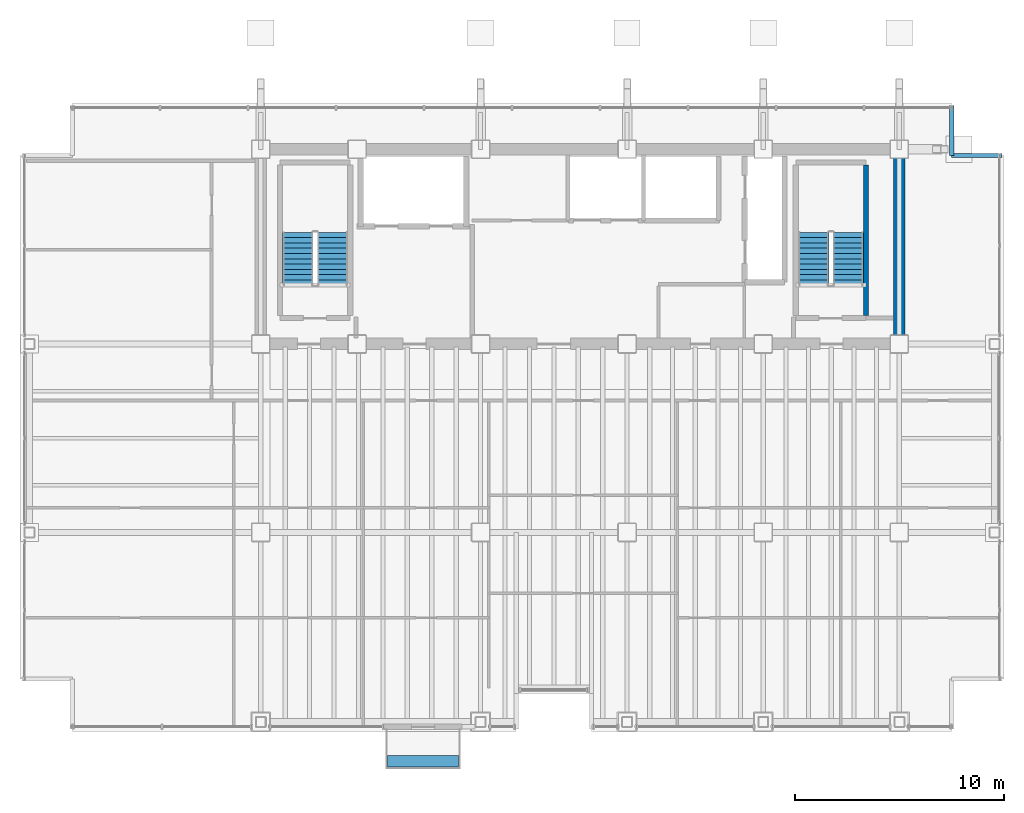
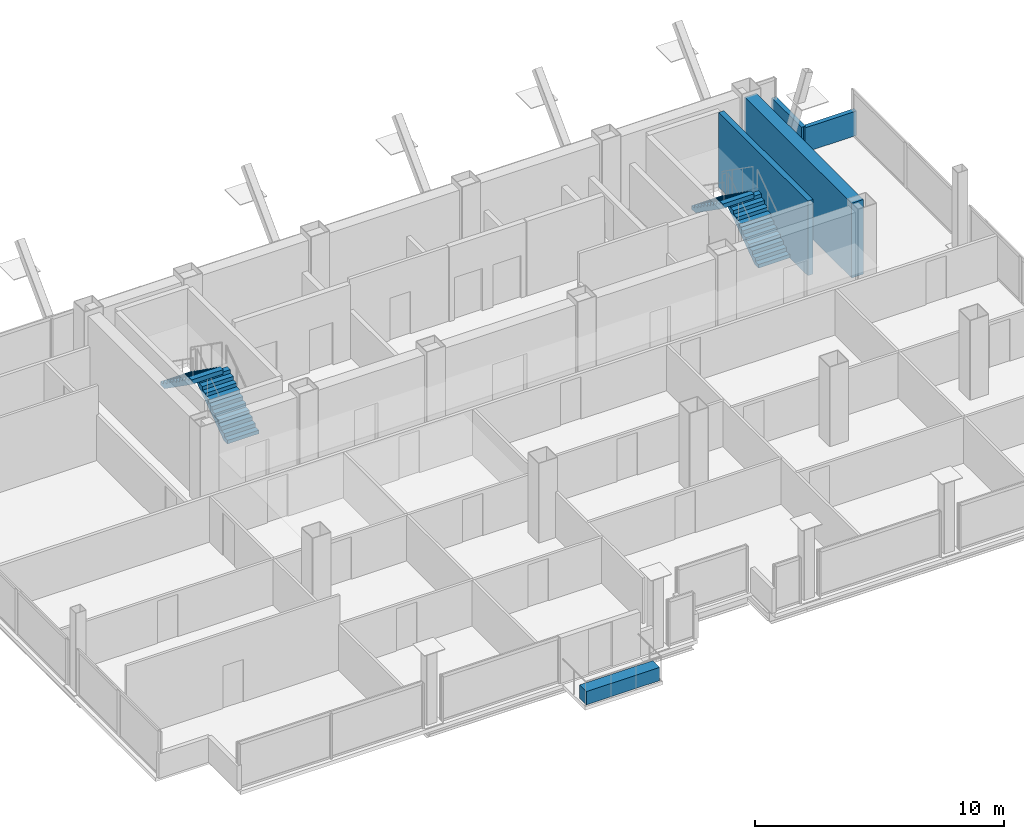
# One storey, part 21 of 22: 4 stair flights, 4 walls, 1 discrete accessory, 2 elements without a shape of their own.
"""IFC4 building model written with IfcOpenShell, lengths in metres."""

import ifcopenshell
import ifcopenshell.guid

model = None  # the IFC model being written
_history = None  # IfcOwnerHistory: only IFC2X3 demands one
_inside = {}  # id of a spatial element -> (the spatial element, [elements in it])
_under = {}  # id of a project, library or spatial element -> (it, [spatial elements below it])
_declared = {}  # id of a project -> (the project, [libraries it declares])
_typed = {}  # id of a type object -> (the type object, [elements of that type])
_made_of = {}  # id of a material, layer set ... -> (it, [elements and type objects made of it])


def new_model(schema):
    """Start an empty IFC model of exactly this schema.

    Asked for "IFC4X3", IfcOpenShell would pick the latest addendum, in which some entities
    have other attributes; the version numbers below select the first issue.
    IFC2X3 requires an IfcOwnerHistory on every rooted entity: one is made here for all.
    """
    global model, _history
    if schema == "IFC4X3":
        model = ifcopenshell.file(schema_version=(4, 3, 0, 0))
    else:
        model = ifcopenshell.file(schema=schema)
    _inside.clear()
    _under.clear()
    _declared.clear()
    _typed.clear()
    _made_of.clear()
    _history = None
    if model.schema == "IFC2X3":
        org = make("IfcOrganization", Name="unknown")
        user = make(
            "IfcPersonAndOrganization",
            ThePerson=make("IfcPerson", FamilyName="unknown"),
            TheOrganization=org,
        )
        app = make(
            "IfcApplication",
            ApplicationDeveloper=org,
            Version="unknown",
            ApplicationFullName="unknown",
            ApplicationIdentifier="unknown",
        )
        _history = make(
            "IfcOwnerHistory",
            OwningUser=user,
            OwningApplication=app,
            ChangeAction="ADDED",
            CreationDate=0,
        )
    return model


def make(cls, **values):
    """One entity of the class cls with the attributes given. An attribute that is None is left unset."""
    return model.create_entity(
        cls, **{name: value for name, value in values.items() if value is not None}
    )


def rooted(cls, **values):
    """An entity with a GlobalId (a new one), such as an element, a storey or a relation."""
    return make(cls, GlobalId=ifcopenshell.guid.new(), OwnerHistory=_history, **values)


def si_unit(unit_type, name, prefix=None):
    """IfcSIUnit, for example si_unit("LENGTHUNIT", "METRE", prefix="MILLI")."""
    return make("IfcSIUnit", UnitType=unit_type, Prefix=prefix, Name=name)


def assignment(units):
    """IfcUnitAssignment: the units of a project."""
    return None if units is None else make("IfcUnitAssignment", Units=units)


def point(xyz):
    """IfcCartesianPoint."""
    return None if xyz is None else make("IfcCartesianPoint", Coordinates=xyz)


def direction(xyz):
    """IfcDirection."""
    return None if xyz is None else make("IfcDirection", DirectionRatios=xyz)


def frame(location, z_axis=None, x_axis=None):
    """IfcAxis2Placement3D, a coordinate frame: its origin and axes. An axis left out is left unset."""
    return make(
        "IfcAxis2Placement3D",
        Location=point(location),
        Axis=direction(z_axis),
        RefDirection=direction(x_axis),
    )


def frame_2d(location, x_axis=None):
    """IfcAxis2Placement2D, a coordinate frame in the plane: its origin and x axis."""
    return make(
        "IfcAxis2Placement2D", Location=point(location), RefDirection=direction(x_axis)
    )


def origin():
    """The frame at (0, 0, 0) with its axes left unset."""
    return frame((0.0, 0.0, 0.0))


def origin_2d():
    """The frame at (0, 0) in the plane with its x axis left unset."""
    return frame_2d((0.0, 0.0))


def place(relative_to, where):
    """IfcLocalPlacement: puts the frame where relative to a parent placement (None: the world)."""
    return make(
        "IfcLocalPlacement", PlacementRelTo=relative_to, RelativePlacement=where
    )


def context(
    kind, dimensions, precision=None, world=None, true_north=None, identifier=None
):
    """IfcGeometricRepresentationContext, for example the 3D "Model" context."""
    return make(
        "IfcGeometricRepresentationContext",
        ContextIdentifier=identifier,
        ContextType=kind,
        CoordinateSpaceDimension=dimensions,
        Precision=precision,
        WorldCoordinateSystem=world,
        TrueNorth=true_north,
    )


def subcontext(parent, identifier, kind, view, scale=None):
    """IfcGeometricRepresentationSubContext, for example "Body" below "Model"."""
    return make(
        "IfcGeometricRepresentationSubContext",
        ContextIdentifier=identifier,
        ContextType=kind,
        ParentContext=parent,
        TargetScale=scale,
        TargetView=view,
    )


def project(units=None, contexts=None):
    """IfcProject with its units and contexts."""
    return rooted(
        "IfcProject",
        Name="project",
        RepresentationContexts=contexts,
        UnitsInContext=assignment(units),
    )


def spatial(cls, under=None, at=None, **own):
    """A site, building, storey or space (cls), placed at a placement, below another one or the project."""
    s = rooted(cls, ObjectPlacement=at, **own)
    if under is not None:
        _under.setdefault(under.id(), (under, []))[1].append(s)
    return s


def polyline(points):
    """IfcPolyline through the points."""
    return make("IfcPolyline", Points=[point(p) for p in points])


def profile(cls, at=None, kind="AREA", **sizes):
    """A parametric profile (cls). Its sizes go by their IFC names, for example OverallWidth=200.0."""
    return make(cls, ProfileType=kind, Position=at, **sizes)


def rectangle(**sizes):
    """IfcRectangleProfileDef."""
    return profile("IfcRectangleProfileDef", **sizes)


def outline(outer, holes=None, kind="AREA"):
    """IfcArbitraryClosedProfileDef: a profile drawn as a closed curve; with holes, ...WithVoids."""
    if holes is None:
        return make("IfcArbitraryClosedProfileDef", ProfileType=kind, OuterCurve=outer)
    return make(
        "IfcArbitraryProfileDefWithVoids",
        ProfileType=kind,
        OuterCurve=outer,
        InnerCurves=holes,
    )


def extrude(swept, where, along, depth):
    """IfcExtrudedAreaSolid: the profile swept, set in the frame where, extruded along a direction by depth."""
    return make(
        "IfcExtrudedAreaSolid",
        SweptArea=swept,
        Position=where,
        ExtrudedDirection=direction(along),
        Depth=depth,
    )


def shape(context_of_items, identifier, shape_type, items):
    """IfcShapeRepresentation: the items that make up one representation, for example the "Body"."""
    return make(
        "IfcShapeRepresentation",
        ContextOfItems=context_of_items,
        RepresentationIdentifier=identifier,
        RepresentationType=shape_type,
        Items=items,
    )


def material(Name=None, Category=None):
    """IfcMaterial."""
    return make("IfcMaterial", Name=Name, Category=Category)


def layer(
    of_material, thickness, ventilated=None, Name=None, Category=None, Priority=None
):
    """IfcMaterialLayer: one layer of a wall or slab, of a material (None: an air gap)."""
    return make(
        "IfcMaterialLayer",
        Material=of_material,
        LayerThickness=thickness,
        IsVentilated=ventilated,
        Name=Name,
        Category=Category,
        Priority=Priority,
    )


def layer_set(layers, Name=None):
    """IfcMaterialLayerSet."""
    return make("IfcMaterialLayerSet", MaterialLayers=layers, LayerSetName=Name)


def made_of(thing, what):
    """Note that an element or type object is made of a material, layer set ...; save() writes the relation."""
    if what is not None:
        _made_of.setdefault(what.id(), (what, []))[1].append(thing)
    return thing


def type_object(cls, material=None, **own):
    """A type object (cls), such as IfcWallType, which elements share."""
    return made_of(rooted(cls, **own), material)


def element(
    cls,
    number,
    at=None,
    inside=None,
    cuts=None,
    type_object=None,
    material=None,
    context=None,
    identifier="Body",
    shape_type=None,
    held_by="IfcProductDefinitionShape",
    body=None,
    shapes=None,
    **own,
):
    """One element of the class cls, such as IfcWall. Its Tag is "e" and its number.

    at: its placement. inside: the storey or other place that contains it. cuts: it is an
    opening in that element (IfcRelVoidsElement). A single representation is given by context,
    identifier, shape_type and body (its items); several are given by shapes. held_by: the class
    of the entity that holds the representations. save() writes the other relations.
    """
    e = rooted(cls, Tag="e%d" % number, ObjectPlacement=at, **own)
    if body is not None:
        shapes = [shape(context, identifier, shape_type, body)]
    if shapes is not None:
        e.Representation = make(held_by, Representations=shapes)
    if inside is not None:
        _inside.setdefault(inside.id(), (inside, []))[1].append(e)
    if cuts is not None:
        rooted(
            "IfcRelVoidsElement", RelatingBuildingElement=cuts, RelatedOpeningElement=e
        )
    if type_object is not None:
        _typed.setdefault(type_object.id(), (type_object, []))[1].append(e)
    return made_of(e, material)


def aggregate(whole, parts):
    """IfcRelAggregates: a whole, such as a stair, and the parts it consists of."""
    return rooted("IfcRelAggregates", RelatingObject=whole, RelatedObjects=parts)


def save(model, path):
    """Write the relations noted so far, then the file.

    IfcRelAggregates (storeys below a building ...), IfcRelContainedInSpatialStructure (elements
    in a storey), IfcRelDefinesByType, IfcRelAssociatesMaterial and IfcRelDeclares: one each for
    every whole, place, type object, material and project.
    """
    for whole, parts in _under.values():
        aggregate(whole, parts)
    for where, things in _inside.values():
        rooted(
            "IfcRelContainedInSpatialStructure",
            RelatedElements=things,
            RelatingStructure=where,
        )
    for kind, things in _typed.values():
        rooted("IfcRelDefinesByType", RelatedObjects=things, RelatingType=kind)
    for what, things in _made_of.values():
        rooted("IfcRelAssociatesMaterial", RelatedObjects=things, RelatingMaterial=what)
    for by, libraries in _declared.values():
        rooted("IfcRelDeclares", RelatingContext=by, RelatedDefinitions=libraries)
    model.write(path)


model = new_model("IFC4")

# Units and contexts
model_context = context("Model", 3, precision=1e-05, world=origin(), true_north=direction((0.0, 1.0)))
body_context = subcontext(model_context, "Body", "Model", "MODEL_VIEW")
ifc_project = project(units=[si_unit("LENGTHUNIT", "METRE"), si_unit("AREAUNIT", "SQUARE_METRE"), si_unit("VOLUMEUNIT", "CUBIC_METRE"), si_unit("PLANEANGLEUNIT", "RADIAN"), si_unit("MASSUNIT", "GRAM", prefix="KILO")], contexts=[model_context])

# Site, building, storey
site_placement = place(None, origin())
site = spatial("IfcSite", under=ifc_project, at=site_placement, CompositionType="ELEMENT")
building_placement = place(site_placement, origin())
building = spatial("IfcBuilding", under=site, at=building_placement, Name="Noeulbin Bourse Tower", CompositionType="ELEMENT")
storey_placement = place(building_placement, frame((0.0, 0.0, 138.300048828125)))
storey = spatial("IfcBuildingStorey", under=building, at=storey_placement, Name="L34", CompositionType="ELEMENT", Elevation=138.300048828125)

# Walls
ifc_material_1 = material(Name="Concrete C60/75", Category="concrete")
ifc_layer_1 = layer(ifc_material_1, 0.550048828125)
ifc_layer_set_1 = layer_set([ifc_layer_1], Name="Concrete C60/75")
wall_type_1 = type_object("IfcWallType", Name="WAL-CORE-550", PredefinedType="SHEAR", material=ifc_layer_set_1)
wall_1_placement = place(storey_placement, frame((44.0, 29.35009765625, 0.0), z_axis=(0.0, 0.0, 1.0), x_axis=(0.0, 1.0, 0.0)))
element("IfcWall", 1, at=wall_1_placement, inside=storey, type_object=wall_type_1, Name="Rear Core East Shear Wall L34", PredefinedType="SHEAR", context=body_context, shape_type="SweptSolid", body=[
    extrude(rectangle(XDim=8.599853515625, YDim=0.550048828125, at=frame_2d((4.2998046875, 0.0))), origin(), (0.0, 0.0, 1.0), 3.659912109375),
])
ifc_material_2 = material(Name="Concrete C40/50", Category="concrete")
ifc_layer_2 = layer(ifc_material_2, 0.199951171875)
ifc_layer_set_2 = layer_set([ifc_layer_2], Name="Concrete C40/50")
wall_type_2 = type_object("IfcWallType", Name="WAL-PAR-200", PredefinedType="PARAPET", material=ifc_layer_set_2)
for number, where, z_axis, x_axis, name in (
    (2, (46.5, 40.39990234375, 0.0), (0.0, 0.0, 1.0), (0.0, -1.0, 0.0), "Corner Notch Parapet L34-NE1"),
    (3, (46.5, 38.0, 0.0), (0.0, 0.0, 1.0), (1.0, 0.0, 0.0), "Corner Notch Parapet L34-NE2"),
):
    element("IfcWall", number, at=place(storey_placement, frame(where, z_axis=z_axis, x_axis=x_axis)), inside=storey, type_object=wall_type_2, Name=name, PredefinedType="PARAPET", context=body_context, shape_type="SweptSolid", body=[
        extrude(rectangle(XDim=2.39990234375, YDim=0.199951171875, at=frame_2d((1.199951171875, 0.0))), origin(), (0.0, 0.0, 1.0), 1.199951171875),
    ])
ifc_layer_3 = layer(ifc_material_2, 0.25)
ifc_layer_set_3 = layer_set([ifc_layer_3], Name="Concrete C40/50")
wall_type_3 = type_object("IfcWallType", Name="WAL-SHFT-250", PredefinedType="STANDARD", material=ifc_layer_set_3)
wall_2_placement = place(storey_placement, frame((42.405029296875, 30.360107421875, 0.0), z_axis=(0.0, 0.0, 1.0), x_axis=(0.0, 1.0, 0.0)))
element("IfcWall", 4, at=wall_2_placement, inside=storey, type_object=wall_type_3, Name="Stair ST-2 East Shaft Wall L34", PredefinedType="STANDARD", context=body_context, shape_type="SweptSolid", body=[
    extrude(rectangle(XDim=7.183837890625, YDim=0.25, at=frame_2d((3.591796875, 0.0))), origin(), (0.0, 0.0, 1.0), 3.659912109375),
])

# Stair, stair flights
stair_type = type_object("IfcStairType", Name="STR-CORE-1560", PredefinedType="HALF_TURN_STAIR", material=ifc_material_2)
stair_1_placement = place(storey_placement, origin())
stair_1 = element("IfcStair", 5, at=stair_1_placement, inside=storey, type_object=stair_type, Name="L34 ST-1", PredefinedType="HALF_TURN_STAIR")
stair_flight_type = type_object("IfcStairFlightType", Name="SFL-CORE-1560", PredefinedType="STRAIGHT", material=ifc_material_2)
stair_flight_1_placement = place(storey_placement, frame((16.925048828125, 31.81005859375, 0.0), z_axis=(0.0, 0.0, 1.0), x_axis=(0.0, 1.0, 0.0)))
stair_flight_1 = element("IfcStairFlight", 6, at=stair_flight_1_placement, type_object=stair_flight_type, Name="ST-1 flight 1", NumberOfRisers=11, NumberOfTreads=10, PredefinedType="STRAIGHT", RiserHeight=0.177272727, TreadLength=0.252, context=body_context, shape_type="SweptSolid", body=[
    extrude(outline(polyline([(0.0, 0.0), (0.0, 0.17724609375), (0.251953125, 0.17724609375), (0.251953125, 0.3544921875), (0.50390625, 0.3544921875), (0.50390625, 0.53173828125), (0.756103515625, 0.53173828125), (0.756103515625, 0.708984375), (1.008056640625, 0.708984375), (1.008056640625, 0.886474609375), (1.260009765625, 0.886474609375), (1.260009765625, 1.063720703125), (1.511962890625, 1.063720703125), (1.511962890625, 1.240966796875), (1.763916015625, 1.240966796875), (1.763916015625, 1.418212890625), (2.01611328125, 1.418212890625), (2.01611328125, 1.595458984375), (2.26806640625, 1.595458984375), (2.26806640625, 1.772705078125), (2.52001953125, 1.772705078125), (2.52001953125, 1.949951171875), (2.52001953125, 1.552734375), (0.312744140625, 0.0), (0.0, 0.0)])), frame((0.0, 0.72509765625, 0.0), z_axis=(0.0, -1.0, 0.0), x_axis=(1.0, 0.0, 0.0)), (0.0, 0.0, 1.0), 1.449951171875),
])
stair_flight_2_placement = place(storey_placement, frame((15.27490234375, 34.330078125, 1.949951171875), z_axis=(0.0, 0.0, 1.0), x_axis=(0.0, -1.0, 0.0)))
stair_flight_2 = element("IfcStairFlight", 7, at=stair_flight_2_placement, type_object=stair_flight_type, Name="ST-1 flight 2", NumberOfRisers=11, NumberOfTreads=10, PredefinedType="STRAIGHT", RiserHeight=0.177272727, TreadLength=0.252, context=body_context, shape_type="SweptSolid", body=[
    extrude(outline(polyline([(0.0, 0.0), (0.0, 0.17724609375), (0.251953125, 0.17724609375), (0.251953125, 0.3544921875), (0.50390625, 0.3544921875), (0.50390625, 0.53173828125), (0.756103515625, 0.53173828125), (0.756103515625, 0.708984375), (1.008056640625, 0.708984375), (1.008056640625, 0.886474609375), (1.260009765625, 0.886474609375), (1.260009765625, 1.063720703125), (1.511962890625, 1.063720703125), (1.511962890625, 1.240966796875), (1.763916015625, 1.240966796875), (1.763916015625, 1.418212890625), (2.01611328125, 1.418212890625), (2.01611328125, 1.595458984375), (2.26806640625, 1.595458984375), (2.26806640625, 1.772705078125), (2.52001953125, 1.772705078125), (2.52001953125, 1.949951171875), (2.52001953125, 1.552734375), (0.312744140625, 0.0), (0.0, 0.0)])), frame((0.0, 0.72509765625, 0.0), z_axis=(0.0, -1.0, 0.0), x_axis=(1.0, 0.0, 0.0)), (0.0, 0.0, 1.0), 1.449951171875),
])
aggregate(stair_1, [stair_flight_1, stair_flight_2])

stair_2_placement = place(storey_placement, origin())
stair_2 = element("IfcStair", 8, at=stair_2_placement, inside=storey, type_object=stair_type, Name="L34 ST-2", PredefinedType="HALF_TURN_STAIR")
stair_flight_3_placement = place(storey_placement, frame((41.554931640625, 31.81005859375, 0.0), z_axis=(0.0, 0.0, 1.0), x_axis=(0.0, 1.0, 0.0)))
stair_flight_3 = element("IfcStairFlight", 9, at=stair_flight_3_placement, type_object=stair_flight_type, Name="ST-2 flight 1", NumberOfRisers=11, NumberOfTreads=10, PredefinedType="STRAIGHT", RiserHeight=0.177272727, TreadLength=0.252, context=body_context, shape_type="SweptSolid", body=[
    extrude(outline(polyline([(0.0, 0.0), (0.0, 0.17724609375), (0.251953125, 0.17724609375), (0.251953125, 0.3544921875), (0.50390625, 0.3544921875), (0.50390625, 0.53173828125), (0.756103515625, 0.53173828125), (0.756103515625, 0.708984375), (1.008056640625, 0.708984375), (1.008056640625, 0.886474609375), (1.260009765625, 0.886474609375), (1.260009765625, 1.063720703125), (1.511962890625, 1.063720703125), (1.511962890625, 1.240966796875), (1.763916015625, 1.240966796875), (1.763916015625, 1.418212890625), (2.01611328125, 1.418212890625), (2.01611328125, 1.595458984375), (2.26806640625, 1.595458984375), (2.26806640625, 1.772705078125), (2.52001953125, 1.772705078125), (2.52001953125, 1.949951171875), (2.52001953125, 1.552734375), (0.312744140625, 0.0), (0.0, 0.0)])), frame((0.0, 0.72509765625, 0.0), z_axis=(0.0, -1.0, 0.0), x_axis=(1.0, 0.0, 0.0)), (0.0, 0.0, 1.0), 1.449951171875),
])
stair_flight_4_placement = place(storey_placement, frame((39.905029296875, 34.330078125, 1.949951171875), z_axis=(0.0, 0.0, 1.0), x_axis=(0.0, -1.0, 0.0)))
stair_flight_4 = element("IfcStairFlight", 10, at=stair_flight_4_placement, type_object=stair_flight_type, Name="ST-2 flight 2", NumberOfRisers=11, NumberOfTreads=10, PredefinedType="STRAIGHT", RiserHeight=0.177272727, TreadLength=0.252, context=body_context, shape_type="SweptSolid", body=[
    extrude(outline(polyline([(0.0, 0.0), (0.0, 0.17724609375), (0.251953125, 0.17724609375), (0.251953125, 0.3544921875), (0.50390625, 0.3544921875), (0.50390625, 0.53173828125), (0.756103515625, 0.53173828125), (0.756103515625, 0.708984375), (1.008056640625, 0.708984375), (1.008056640625, 0.886474609375), (1.260009765625, 0.886474609375), (1.260009765625, 1.063720703125), (1.511962890625, 1.063720703125), (1.511962890625, 1.240966796875), (1.763916015625, 1.240966796875), (1.763916015625, 1.418212890625), (2.01611328125, 1.418212890625), (2.01611328125, 1.595458984375), (2.26806640625, 1.595458984375), (2.26806640625, 1.772705078125), (2.52001953125, 1.772705078125), (2.52001953125, 1.949951171875), (2.52001953125, 1.552734375), (0.312744140625, 0.0), (0.0, 0.0)])), frame((0.0, 0.72509765625, 0.0), z_axis=(0.0, -1.0, 0.0), x_axis=(1.0, 0.0, 0.0)), (0.0, 0.0, 1.0), 1.449951171875),
])
aggregate(stair_2, [stair_flight_3, stair_flight_4])

# Discrete accessory
ifc_material_3 = material(Name="Architectural GFRC Concrete C40/50", Category="concrete")
ifc_layer_4 = layer(ifc_material_3, 0.64990234375)
ifc_layer_set_4 = layer_set([ifc_layer_4], Name="Architectural GFRC Concrete C40/50")
discrete_accessory_type = type_object("IfcDiscreteAccessoryType", Name="PLANTER-BOX-3600", PredefinedType="USERDEFINED", material=ifc_layer_set_4)
discrete_accessory_placement = place(storey_placement, frame((21.25, 9.06005859375, 0.0), z_axis=(0.0, 0.0, 1.0), x_axis=(1.0, 0.0, 0.0)))
element("IfcDiscreteAccessory", 11, at=discrete_accessory_placement, inside=storey, type_object=discrete_accessory_type, Name="Integrated Balcony Tree Planter Box L34", ObjectType="PLANTER", PredefinedType="USERDEFINED", context=body_context, shape_type="SweptSolid", body=[
    extrude(rectangle(XDim=3.39990234375, YDim=0.550048828125, at=origin_2d()), origin(), (0.0, 0.0, 1.0), 0.64990234375),
])

save(model, "model.ifc")
